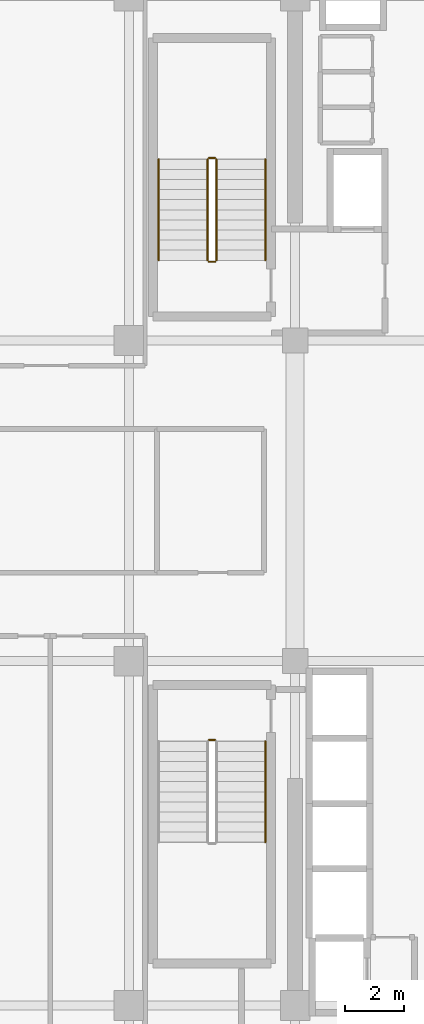
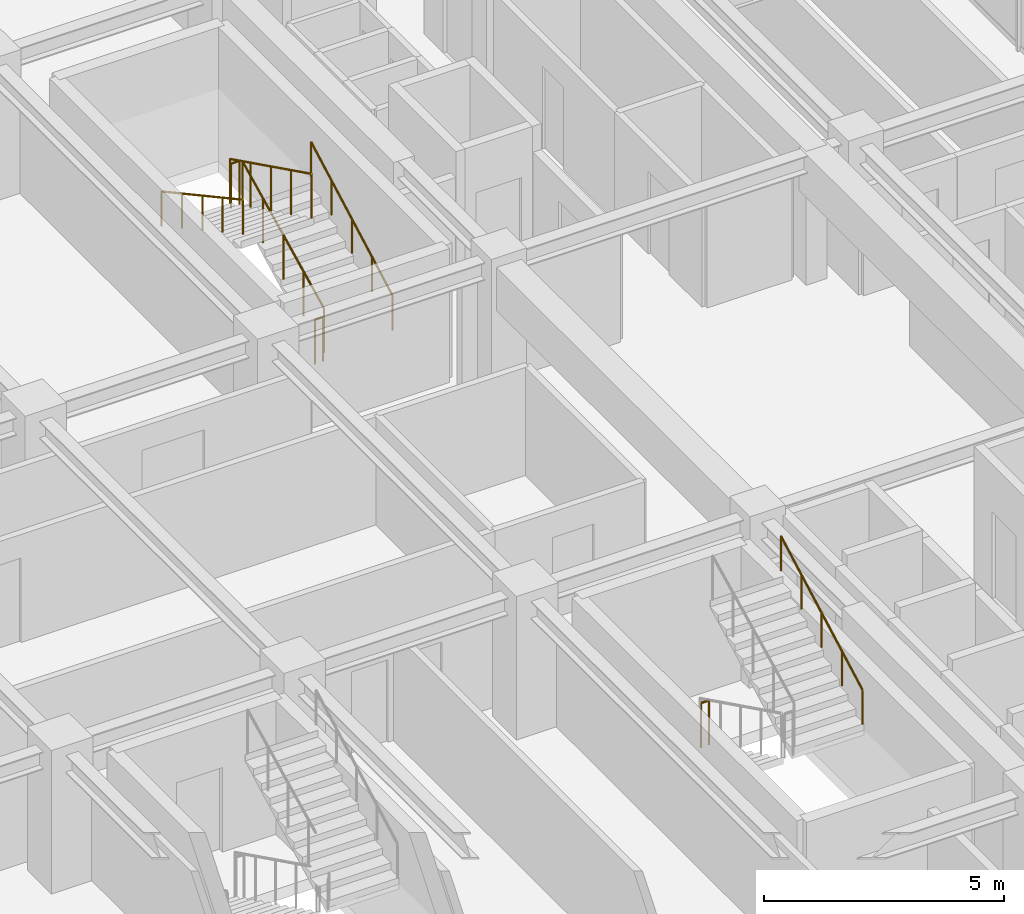
# One storey, part 34 of 35: 8 railings.
"""IFC4 building model written with IfcOpenShell, lengths in metres."""

import ifcopenshell
import ifcopenshell.guid

model = None  # the IFC model being written
_history = None  # IfcOwnerHistory: only IFC2X3 demands one
_inside = {}  # id of a spatial element -> (the spatial element, [elements in it])
_under = {}  # id of a project, library or spatial element -> (it, [spatial elements below it])
_declared = {}  # id of a project -> (the project, [libraries it declares])
_typed = {}  # id of a type object -> (the type object, [elements of that type])
_made_of = {}  # id of a material, layer set ... -> (it, [elements and type objects made of it])


def new_model(schema):
    """Start an empty IFC model of exactly this schema.

    Asked for "IFC4X3", IfcOpenShell would pick the latest addendum, in which some entities
    have other attributes; the version numbers below select the first issue.
    IFC2X3 requires an IfcOwnerHistory on every rooted entity: one is made here for all.
    """
    global model, _history
    if schema == "IFC4X3":
        model = ifcopenshell.file(schema_version=(4, 3, 0, 0))
    else:
        model = ifcopenshell.file(schema=schema)
    _inside.clear()
    _under.clear()
    _declared.clear()
    _typed.clear()
    _made_of.clear()
    _history = None
    if model.schema == "IFC2X3":
        org = make("IfcOrganization", Name="unknown")
        user = make(
            "IfcPersonAndOrganization",
            ThePerson=make("IfcPerson", FamilyName="unknown"),
            TheOrganization=org,
        )
        app = make(
            "IfcApplication",
            ApplicationDeveloper=org,
            Version="unknown",
            ApplicationFullName="unknown",
            ApplicationIdentifier="unknown",
        )
        _history = make(
            "IfcOwnerHistory",
            OwningUser=user,
            OwningApplication=app,
            ChangeAction="ADDED",
            CreationDate=0,
        )
    return model


def make(cls, **values):
    """One entity of the class cls with the attributes given. An attribute that is None is left unset."""
    return model.create_entity(
        cls, **{name: value for name, value in values.items() if value is not None}
    )


def rooted(cls, **values):
    """An entity with a GlobalId (a new one), such as an element, a storey or a relation."""
    return make(cls, GlobalId=ifcopenshell.guid.new(), OwnerHistory=_history, **values)


def si_unit(unit_type, name, prefix=None):
    """IfcSIUnit, for example si_unit("LENGTHUNIT", "METRE", prefix="MILLI")."""
    return make("IfcSIUnit", UnitType=unit_type, Prefix=prefix, Name=name)


def assignment(units):
    """IfcUnitAssignment: the units of a project."""
    return None if units is None else make("IfcUnitAssignment", Units=units)


def point(xyz):
    """IfcCartesianPoint."""
    return None if xyz is None else make("IfcCartesianPoint", Coordinates=xyz)


def direction(xyz):
    """IfcDirection."""
    return None if xyz is None else make("IfcDirection", DirectionRatios=xyz)


def frame(location, z_axis=None, x_axis=None):
    """IfcAxis2Placement3D, a coordinate frame: its origin and axes. An axis left out is left unset."""
    return make(
        "IfcAxis2Placement3D",
        Location=point(location),
        Axis=direction(z_axis),
        RefDirection=direction(x_axis),
    )


def frame_2d(location, x_axis=None):
    """IfcAxis2Placement2D, a coordinate frame in the plane: its origin and x axis."""
    return make(
        "IfcAxis2Placement2D", Location=point(location), RefDirection=direction(x_axis)
    )


def origin():
    """The frame at (0, 0, 0) with its axes left unset."""
    return frame((0.0, 0.0, 0.0))


def origin_2d():
    """The frame at (0, 0) in the plane with its x axis left unset."""
    return frame_2d((0.0, 0.0))


def place(relative_to, where):
    """IfcLocalPlacement: puts the frame where relative to a parent placement (None: the world)."""
    return make(
        "IfcLocalPlacement", PlacementRelTo=relative_to, RelativePlacement=where
    )


def context(
    kind, dimensions, precision=None, world=None, true_north=None, identifier=None
):
    """IfcGeometricRepresentationContext, for example the 3D "Model" context."""
    return make(
        "IfcGeometricRepresentationContext",
        ContextIdentifier=identifier,
        ContextType=kind,
        CoordinateSpaceDimension=dimensions,
        Precision=precision,
        WorldCoordinateSystem=world,
        TrueNorth=true_north,
    )


def subcontext(parent, identifier, kind, view, scale=None):
    """IfcGeometricRepresentationSubContext, for example "Body" below "Model"."""
    return make(
        "IfcGeometricRepresentationSubContext",
        ContextIdentifier=identifier,
        ContextType=kind,
        ParentContext=parent,
        TargetScale=scale,
        TargetView=view,
    )


def project(units=None, contexts=None):
    """IfcProject with its units and contexts."""
    return rooted(
        "IfcProject",
        Name="project",
        RepresentationContexts=contexts,
        UnitsInContext=assignment(units),
    )


def spatial(cls, under=None, at=None, **own):
    """A site, building, storey or space (cls), placed at a placement, below another one or the project."""
    s = rooted(cls, ObjectPlacement=at, **own)
    if under is not None:
        _under.setdefault(under.id(), (under, []))[1].append(s)
    return s


def profile(cls, at=None, kind="AREA", **sizes):
    """A parametric profile (cls). Its sizes go by their IFC names, for example OverallWidth=200.0."""
    return make(cls, ProfileType=kind, Position=at, **sizes)


def circle(**sizes):
    """IfcCircleProfileDef."""
    return profile("IfcCircleProfileDef", **sizes)


def extrude(swept, where, along, depth):
    """IfcExtrudedAreaSolid: the profile swept, set in the frame where, extruded along a direction by depth."""
    return make(
        "IfcExtrudedAreaSolid",
        SweptArea=swept,
        Position=where,
        ExtrudedDirection=direction(along),
        Depth=depth,
    )


def shape(context_of_items, identifier, shape_type, items):
    """IfcShapeRepresentation: the items that make up one representation, for example the "Body"."""
    return make(
        "IfcShapeRepresentation",
        ContextOfItems=context_of_items,
        RepresentationIdentifier=identifier,
        RepresentationType=shape_type,
        Items=items,
    )


def material(Name=None, Category=None):
    """IfcMaterial."""
    return make("IfcMaterial", Name=Name, Category=Category)


def made_of(thing, what):
    """Note that an element or type object is made of a material, layer set ...; save() writes the relation."""
    if what is not None:
        _made_of.setdefault(what.id(), (what, []))[1].append(thing)
    return thing


def type_object(cls, material=None, **own):
    """A type object (cls), such as IfcWallType, which elements share."""
    return made_of(rooted(cls, **own), material)


def element(
    cls,
    number,
    at=None,
    inside=None,
    cuts=None,
    type_object=None,
    material=None,
    context=None,
    identifier="Body",
    shape_type=None,
    held_by="IfcProductDefinitionShape",
    body=None,
    shapes=None,
    **own,
):
    """One element of the class cls, such as IfcWall. Its Tag is "e" and its number.

    at: its placement. inside: the storey or other place that contains it. cuts: it is an
    opening in that element (IfcRelVoidsElement). A single representation is given by context,
    identifier, shape_type and body (its items); several are given by shapes. held_by: the class
    of the entity that holds the representations. save() writes the other relations.
    """
    e = rooted(cls, Tag="e%d" % number, ObjectPlacement=at, **own)
    if body is not None:
        shapes = [shape(context, identifier, shape_type, body)]
    if shapes is not None:
        e.Representation = make(held_by, Representations=shapes)
    if inside is not None:
        _inside.setdefault(inside.id(), (inside, []))[1].append(e)
    if cuts is not None:
        rooted(
            "IfcRelVoidsElement", RelatingBuildingElement=cuts, RelatedOpeningElement=e
        )
    if type_object is not None:
        _typed.setdefault(type_object.id(), (type_object, []))[1].append(e)
    return made_of(e, material)


def aggregate(whole, parts):
    """IfcRelAggregates: a whole, such as a stair, and the parts it consists of."""
    return rooted("IfcRelAggregates", RelatingObject=whole, RelatedObjects=parts)


def save(model, path):
    """Write the relations noted so far, then the file.

    IfcRelAggregates (storeys below a building ...), IfcRelContainedInSpatialStructure (elements
    in a storey), IfcRelDefinesByType, IfcRelAssociatesMaterial and IfcRelDeclares: one each for
    every whole, place, type object, material and project.
    """
    for whole, parts in _under.values():
        aggregate(whole, parts)
    for where, things in _inside.values():
        rooted(
            "IfcRelContainedInSpatialStructure",
            RelatedElements=things,
            RelatingStructure=where,
        )
    for kind, things in _typed.values():
        rooted("IfcRelDefinesByType", RelatedObjects=things, RelatingType=kind)
    for what, things in _made_of.values():
        rooted("IfcRelAssociatesMaterial", RelatedObjects=things, RelatingMaterial=what)
    for by, libraries in _declared.values():
        rooted("IfcRelDeclares", RelatingContext=by, RelatedDefinitions=libraries)
    model.write(path)


model = new_model("IFC4")

# Units and contexts
model_context = context("Model", 3, precision=1e-05, world=origin(), true_north=direction((0.0, 1.0)))
body_context = subcontext(model_context, "Body", "Model", "MODEL_VIEW")
ifc_project = project(units=[si_unit("LENGTHUNIT", "METRE"), si_unit("AREAUNIT", "SQUARE_METRE"), si_unit("VOLUMEUNIT", "CUBIC_METRE"), si_unit("PLANEANGLEUNIT", "RADIAN"), si_unit("MASSUNIT", "GRAM", prefix="KILO")], contexts=[model_context])

# Site, building, storey
site_placement = place(None, origin())
site = spatial("IfcSite", under=ifc_project, at=site_placement, CompositionType="ELEMENT")
building_placement = place(site_placement, origin())
building = spatial("IfcBuilding", under=site, at=building_placement, Name="Nahalor Promenade Grand Hotel", CompositionType="ELEMENT")
storey_placement = place(building_placement, frame((0.0, 0.0, 245.60009765625)))
storey = spatial("IfcBuildingStorey", under=building, at=storey_placement, Name="L63", CompositionType="ELEMENT", Elevation=245.60009765625)

# Railings
ifc_material = material(Name="Steel S355JR", Category="steel")
railing_type_1 = type_object("IfcRailingType", Name="Steel Stair Guardrail 1150 mm", PredefinedType="GUARDRAIL", material=ifc_material)
railing_1_placement = place(storey_placement, frame((5.75, 8.10009765625, 0.16796875)))
element("IfcRailing", 1, at=railing_1_placement, inside=storey, type_object=railing_type_1, Name="L63 ST1 stair guard 1", PredefinedType="GUARDRAIL", context=body_context, shape_type="SweptSolid", body=[
    extrude(circle(Radius=0.024048, at=origin_2d()), frame((0.0, 0.0, 1.1259765625), z_axis=(0.0, 0.896324230515, 0.443399226197), x_axis=(-1.0, 0.0, 0.0)), (0.0, 0.0, 1.0), 3.793212890625),
    extrude(circle(Radius=0.020996, at=origin_2d()), origin(), (0.0, 0.0, 1.0), 1.099853515625),
    extrude(circle(Radius=0.020996, at=origin_2d()), frame((0.0, 0.85009765625, 0.42041015625)), (0.0, 0.0, 1.0), 1.099853515625),
    extrude(circle(Radius=0.020996, at=origin_2d()), frame((0.0, 1.699951171875, 0.8408203125)), (0.0, 0.0, 1.0), 1.099853515625),
    extrude(circle(Radius=0.020996, at=origin_2d()), frame((0.0, 2.5498046875, 1.261474609375)), (0.0, 0.0, 1.0), 1.099853515625),
    extrude(circle(Radius=0.020996, at=origin_2d()), frame((0.0, 3.39990234375, 1.681884765625)), (0.0, 0.0, 1.0), 1.099853515625),
])
railing_2_placement = place(storey_placement, frame((5.699951171875, 11.550048828125, 1.849853515625)))
element("IfcRailing", 2, at=railing_2_placement, inside=storey, type_object=railing_type_1, Name="L63 ST1 stair guard 2", PredefinedType="GUARDRAIL", context=body_context, shape_type="SweptSolid", body=[
    extrude(circle(Radius=0.024048, at=origin_2d()), frame((0.0, 0.0, 1.1259765625), z_axis=(-1.0, 0.0, 0.0), x_axis=(0.0, -1.0, 0.0)), (0.0, 0.0, 1.0), 0.199951171875),
    extrude(circle(Radius=0.020996, at=origin_2d()), origin(), (0.0, 0.0, 1.0), 1.099853515625),
    extrude(circle(Radius=0.020996, at=origin_2d()), frame((-0.199951171875, 0.0, 0.0)), (0.0, 0.0, 1.0), 1.099853515625),
])
railing_3_placement = place(storey_placement, frame((5.449951171875, 11.5, 2.01806640625)))
element("IfcRailing", 3, at=railing_3_placement, inside=storey, type_object=railing_type_1, Name="L63 ST1 stair guard 3", PredefinedType="GUARDRAIL", context=body_context, shape_type="SweptSolid", body=[
    extrude(circle(Radius=0.024048, at=origin_2d()), frame((0.0, 0.0, 1.1259765625), z_axis=(0.0, -0.896324230515, 0.443399226197), x_axis=(1.0, 0.0, 0.0)), (0.0, 0.0, 1.0), 3.793212890625),
    extrude(circle(Radius=0.020996, at=origin_2d()), origin(), (0.0, 0.0, 1.0), 1.099853515625),
    extrude(circle(Radius=0.020996, at=origin_2d()), frame((0.0, -0.85009765625, 0.42041015625)), (0.0, 0.0, 1.0), 1.099853515625),
    extrude(circle(Radius=0.020996, at=origin_2d()), frame((0.0, -1.699951171875, 0.8408203125)), (0.0, 0.0, 1.0), 1.099853515625),
    extrude(circle(Radius=0.020996, at=origin_2d()), frame((0.0, -2.5498046875, 1.261474609375)), (0.0, 0.0, 1.0), 1.099853515625),
    extrude(circle(Radius=0.020996, at=origin_2d()), frame((0.0, -3.39990234375, 1.681884765625)), (0.0, 0.0, 1.0), 1.099853515625),
])
railing_4_placement = place(storey_placement, frame((5.699951171875, 8.050048828125, 0.0)))
element("IfcRailing", 4, at=railing_4_placement, inside=storey, type_object=railing_type_1, Name="L63 ST1 stair guard 4", PredefinedType="GUARDRAIL", context=body_context, shape_type="SweptSolid", body=[
    extrude(circle(Radius=0.024048, at=origin_2d()), frame((0.0, 0.0, 1.1259765625), z_axis=(-1.0, 0.0, 0.0), x_axis=(0.0, -1.0, 0.0)), (0.0, 0.0, 1.0), 0.199951171875),
    extrude(circle(Radius=0.020996, at=origin_2d()), origin(), (0.0, 0.0, 1.0), 1.099853515625),
    extrude(circle(Radius=0.020996, at=origin_2d()), frame((-0.199951171875, 0.0, 0.0)), (0.0, 0.0, 1.0), 1.099853515625),
])
railing_5_placement = place(storey_placement, frame((5.5, -8.050048828125, 0.0)))
element("IfcRailing", 5, at=railing_5_placement, inside=storey, type_object=railing_type_1, Name="L63 ST2 stair guard 4", PredefinedType="GUARDRAIL", context=body_context, shape_type="SweptSolid", body=[
    extrude(circle(Radius=0.024048, at=origin_2d()), frame((0.0, 0.0, 1.1259765625), z_axis=(1.0, 0.0, 0.0), x_axis=(0.0, 1.0, 0.0)), (0.0, 0.0, 1.0), 0.199951171875),
    extrude(circle(Radius=0.020996, at=origin_2d()), origin(), (0.0, 0.0, 1.0), 1.099853515625),
    extrude(circle(Radius=0.020996, at=origin_2d()), frame((0.199951171875, 0.0, 0.0)), (0.0, 0.0, 1.0), 1.099853515625),
])
railing_type_2 = type_object("IfcRailingType", Name="Steel Stair Handrail 900 mm", PredefinedType="HANDRAIL", material=ifc_material)
railing_6_placement = place(storey_placement, frame((7.39990234375, 8.10009765625, 0.16796875)))
element("IfcRailing", 6, at=railing_6_placement, inside=storey, type_object=railing_type_2, Name="L63 ST1 stair handrail 1", PredefinedType="HANDRAIL", context=body_context, shape_type="SweptSolid", body=[
    extrude(circle(Radius=0.024048, at=origin_2d()), frame((0.0, 0.0, 0.8759765625), z_axis=(0.0, 0.87837241229, 0.47797688786), x_axis=(-1.0, 0.0, 0.0)), (0.0, 0.0, 1.0), 3.87060546875),
    extrude(circle(Radius=0.020996, at=origin_2d()), origin(), (0.0, 0.0, 1.0), 0.849853515625),
    extrude(circle(Radius=0.020996, at=origin_2d()), frame((0.0, 0.85009765625, 0.46240234375)), (0.0, 0.0, 1.0), 0.849853515625),
    extrude(circle(Radius=0.020996, at=origin_2d()), frame((0.0, 1.699951171875, 0.925048828125)), (0.0, 0.0, 1.0), 0.849853515625),
    extrude(circle(Radius=0.020996, at=origin_2d()), frame((0.0, 2.5498046875, 1.3876953125)), (0.0, 0.0, 1.0), 0.849853515625),
    extrude(circle(Radius=0.020996, at=origin_2d()), frame((0.0, 3.39990234375, 1.85009765625)), (0.0, 0.0, 1.0), 0.849853515625),
])
railing_7_placement = place(storey_placement, frame((3.800048828125, 11.5, 2.01806640625)))
element("IfcRailing", 7, at=railing_7_placement, inside=storey, type_object=railing_type_2, Name="L63 ST1 stair handrail 2", PredefinedType="HANDRAIL", context=body_context, shape_type="SweptSolid", body=[
    extrude(circle(Radius=0.024048, at=origin_2d()), frame((0.0, 0.0, 0.8759765625), z_axis=(0.0, -0.87837241229, 0.47797688786), x_axis=(1.0, 0.0, 0.0)), (0.0, 0.0, 1.0), 3.87060546875),
    extrude(circle(Radius=0.020996, at=origin_2d()), origin(), (0.0, 0.0, 1.0), 0.849853515625),
    extrude(circle(Radius=0.020996, at=origin_2d()), frame((0.0, -0.85009765625, 0.46240234375)), (0.0, 0.0, 1.0), 0.849853515625),
    extrude(circle(Radius=0.020996, at=origin_2d()), frame((0.0, -1.699951171875, 0.925048828125)), (0.0, 0.0, 1.0), 0.849853515625),
    extrude(circle(Radius=0.020996, at=origin_2d()), frame((0.0, -2.5498046875, 1.3876953125)), (0.0, 0.0, 1.0), 0.849853515625),
    extrude(circle(Radius=0.020996, at=origin_2d()), frame((0.0, -3.39990234375, 1.85009765625)), (0.0, 0.0, 1.0), 0.849853515625),
])
railing_8_placement = place(storey_placement, frame((7.39990234375, -11.5, 2.01806640625)))
element("IfcRailing", 8, at=railing_8_placement, inside=storey, type_object=railing_type_2, Name="L63 ST2 stair handrail 2", PredefinedType="HANDRAIL", context=body_context, shape_type="SweptSolid", body=[
    extrude(circle(Radius=0.024048, at=origin_2d()), frame((0.0, 0.0, 0.8759765625), z_axis=(0.0, 0.87837241229, 0.47797688786), x_axis=(-1.0, 0.0, 0.0)), (0.0, 0.0, 1.0), 3.87060546875),
    extrude(circle(Radius=0.020996, at=origin_2d()), origin(), (0.0, 0.0, 1.0), 0.849853515625),
    extrude(circle(Radius=0.020996, at=origin_2d()), frame((0.0, 0.85009765625, 0.46240234375)), (0.0, 0.0, 1.0), 0.849853515625),
    extrude(circle(Radius=0.020996, at=origin_2d()), frame((0.0, 1.699951171875, 0.925048828125)), (0.0, 0.0, 1.0), 0.849853515625),
    extrude(circle(Radius=0.020996, at=origin_2d()), frame((0.0, 2.5498046875, 1.3876953125)), (0.0, 0.0, 1.0), 0.849853515625),
    extrude(circle(Radius=0.020996, at=origin_2d()), frame((0.0, 3.39990234375, 1.85009765625)), (0.0, 0.0, 1.0), 0.849853515625),
])

save(model, "model.ifc")
